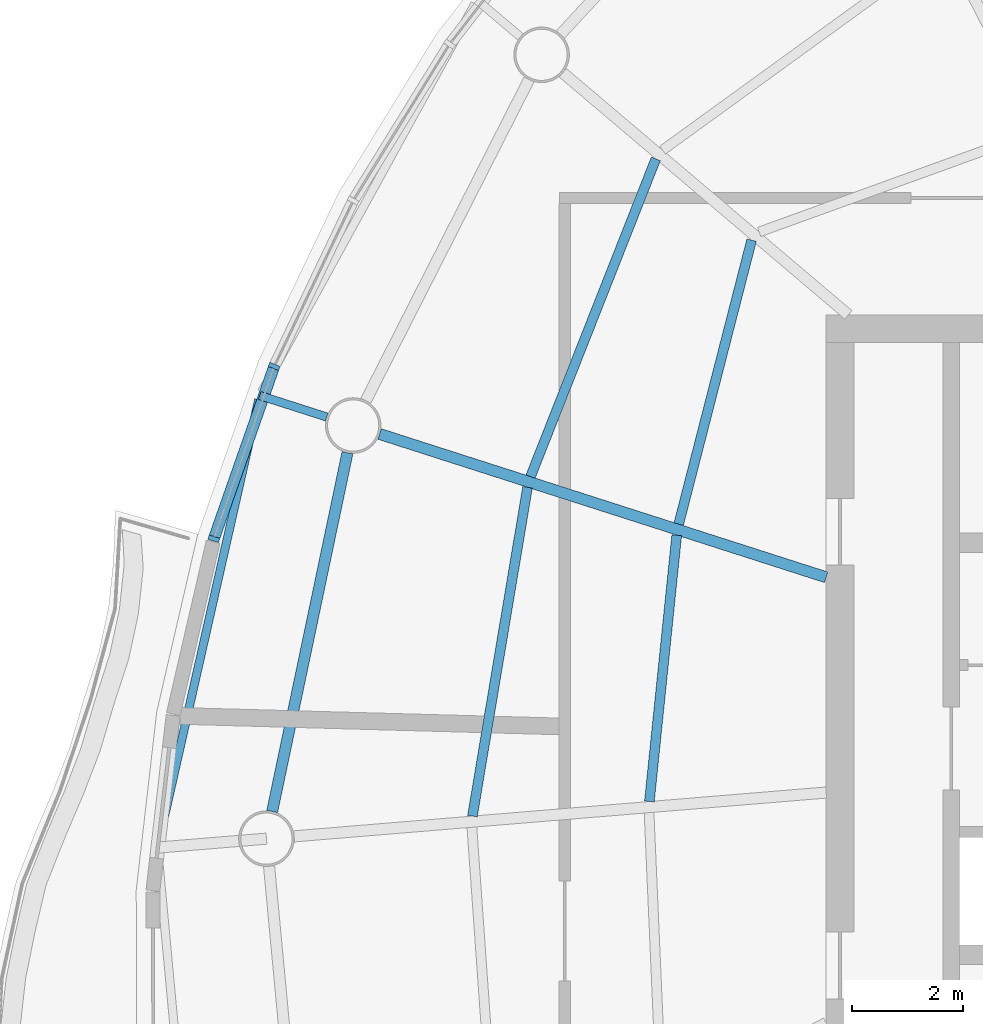
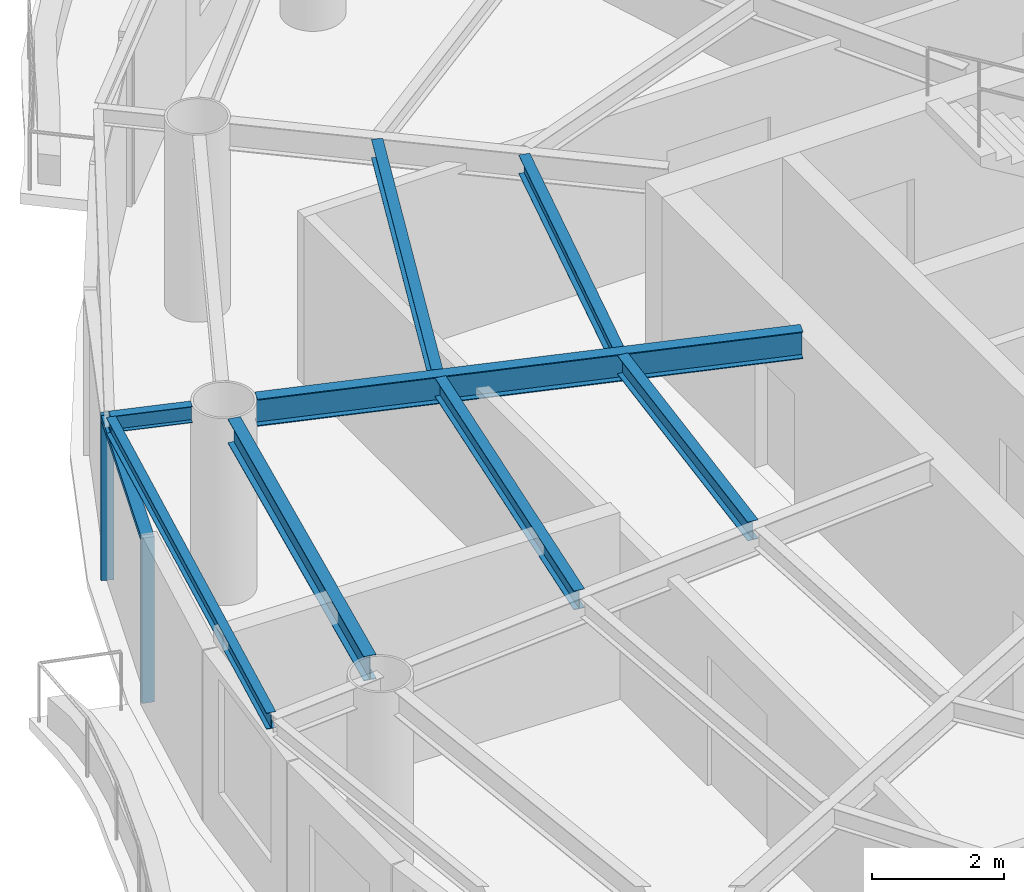
# One storey, part 3 of 13: 8 beams, 3 members, 1 element without a shape of its own.
"""IFC4 building model written with IfcOpenShell, lengths in metres."""

from ifc_helpers import new_model, si_unit, direction, frame, origin, origin_2d, place, context, subcontext, project, spatial, rectangle, i_section, extrude, material, material_profile, profile_set, type_object, element, aggregate, save


model = new_model("IFC4")

# Units and contexts
model_context = context("Model", 3, precision=1e-05, world=origin(), true_north=direction((0.0, 1.0)))
body_context = subcontext(model_context, "Body", "Model", "MODEL_VIEW")
ifc_project = project(units=[si_unit("LENGTHUNIT", "METRE"), si_unit("AREAUNIT", "SQUARE_METRE"), si_unit("VOLUMEUNIT", "CUBIC_METRE"), si_unit("PLANEANGLEUNIT", "RADIAN"), si_unit("MASSUNIT", "GRAM", prefix="KILO")], contexts=[model_context])

# Site, building, storey
site_placement = place(None, origin())
site = spatial("IfcSite", under=ifc_project, at=site_placement, CompositionType="ELEMENT")
building_placement = place(site_placement, origin())
building = spatial("IfcBuilding", under=site, at=building_placement, Name="Vermilion Reach Broadcast Tower", CompositionType="ELEMENT")
storey_placement = place(building_placement, frame((0.0, 0.0, 279.300048828125)))
storey = spatial("IfcBuildingStorey", under=building, at=storey_placement, Name="L69", CompositionType="ELEMENT", Elevation=279.300048828125)

# Beams
ifc_material_1 = material(Name="Steel S355J2", Category="steel")
ifc_material_profile_1 = material_profile(ifc_material_1, i_section(OverallWidth=0.14990234375, OverallDepth=0.300048828125, WebThickness=0.006591796875, FlangeThickness=0.009033203125, at=origin_2d()), Name="S355J2 HN 300x150x6.5x9")
ifc_profile_set_1 = profile_set([ifc_material_profile_1], Name="Steel S355J2")
beam_type_1 = type_object("IfcBeamType", Name="EB5 HN 300x150x6.5x9", PredefinedType="BEAM", material=ifc_profile_set_1)
beam_1_placement = place(storey_placement, frame((-25.80419921875, 6.27587890625, 3.300048828125), z_axis=(-0.220627416906, -0.975358161349, 0.0), x_axis=(0.975358161349, -0.220627416906, 0.0)))
element("IfcBeam", 1, at=beam_1_placement, inside=storey, type_object=beam_type_1, Name="Edge beam EB5-05", PredefinedType="BEAM", context=body_context, shape_type="SweptSolid", body=[
    extrude(i_section(OverallWidth=0.14990234375, OverallDepth=0.300048828125, WebThickness=0.006591796875, FlangeThickness=0.009033203125, at=origin_2d()), origin(), (0.0, 0.0, 1.0), 8.156494140625),
])
ifc_material_2 = material(Name="Steel S355J2", Category="steel")
ifc_material_profile_2 = material_profile(ifc_material_2, i_section(OverallWidth=0.199951171875, OverallDepth=0.5, WebThickness=0.010009765625, FlangeThickness=0.01611328125, at=origin_2d()), Name="S355J2 HN 500x200x10x16")
ifc_profile_set_2 = profile_set([ifc_material_profile_2], Name="Steel S355J2")
beam_type_2 = type_object("IfcBeamType", Name="G5 HN 500x200x10x16", PredefinedType="BEAM", material=ifc_profile_set_2)
beam_2_placement = place(storey_placement, frame((-15.60009765625, 3.080322265625, 3.199951171875), z_axis=(-0.952178453449, 0.305542456604, 0.0), x_axis=(-0.305542456604, -0.952178453449, 0.0)))
element("IfcBeam", 2, at=beam_2_placement, inside=storey, type_object=beam_type_2, Name="Girder G5-05", PredefinedType="BEAM", context=body_context, shape_type="SweptSolid", body=[
    extrude(i_section(OverallWidth=0.199951171875, OverallDepth=0.5, WebThickness=0.010009765625, FlangeThickness=0.01611328125, at=origin_2d()), origin(), (0.0, 0.0, 1.0), 8.43310546875),
])
ifc_material_3 = material(Name="Steel S355J2", Category="steel")
ifc_material_profile_3 = material_profile(ifc_material_3, i_section(OverallWidth=0.14990234375, OverallDepth=0.300048828125, WebThickness=0.006591796875, FlangeThickness=0.009033203125, at=origin_2d()), Name="S355J2 HN 300x150x6.5x9")
ifc_profile_set_3 = profile_set([ifc_material_profile_3], Name="Steel S355J2")
beam_type_3 = type_object("IfcBeamType", Name="GS5 HN 300x150x6.5x9", PredefinedType="BEAM", material=ifc_profile_set_3)
beam_3_placement = place(storey_placement, frame((-24.58203125, 5.96240234375, 3.300048828125), z_axis=(-0.952152869261, 0.30562217452, 0.0), x_axis=(-0.30562217452, -0.952152869261, 0.0)))
element("IfcBeam", 3, at=beam_3_placement, inside=storey, type_object=beam_type_3, Name="Cantilever stub GS5-05", PredefinedType="BEAM", context=body_context, shape_type="SweptSolid", body=[
    extrude(i_section(OverallWidth=0.14990234375, OverallDepth=0.300048828125, WebThickness=0.006591796875, FlangeThickness=0.009033203125, at=origin_2d()), origin(), (0.0, 0.0, 1.0), 1.26611328125),
])
ifc_material_4 = material(Name="Steel S355J2", Category="steel")
ifc_material_profile_4 = material_profile(ifc_material_4, i_section(OverallWidth=0.199951171875, OverallDepth=0.449951171875, WebThickness=0.009033203125, FlangeThickness=0.013916015625, at=origin_2d()), Name="S355J2 HN 450x200x9x14")
ifc_profile_set_4 = profile_set([ifc_material_profile_4], Name="Steel S355J2")
beam_type_4 = type_object("IfcBeamType", Name="RB5 HN 450x200x9x14", PredefinedType="BEAM", material=ifc_profile_set_4)
beam_4_placement = place(storey_placement, frame((-24.208740234375, 5.3203125, 3.224853515625), z_axis=(-0.205444869285, -0.978668690459, 0.0), x_axis=(0.978668690459, -0.205444869285, 0.0)))
element("IfcBeam", 4, at=beam_4_placement, inside=storey, type_object=beam_type_4, Name="Ring beam RB5-05", PredefinedType="BEAM", context=body_context, shape_type="SweptSolid", body=[
    extrude(i_section(OverallWidth=0.199951171875, OverallDepth=0.449951171875, WebThickness=0.009033203125, FlangeThickness=0.013916015625, at=origin_2d()), origin(), (0.0, 0.0, 1.0), 6.591796875),
])
ifc_material_5 = material(Name="Steel S355J2", Category="steel")
ifc_material_profile_5 = material_profile(ifc_material_5, i_section(OverallWidth=0.175048828125, OverallDepth=0.35009765625, WebThickness=0.007080078125, FlangeThickness=0.010986328125, at=origin_2d()), Name="S355J2 HN 350x175x7x11")
ifc_profile_set_5 = profile_set([ifc_material_profile_5], Name="Steel S355J2")
beam_type_5 = type_object("IfcBeamType", Name="SB5 HN 350x175x7x11", PredefinedType="BEAM", material=ifc_profile_set_5)
beam_5_placement = place(storey_placement, frame((-16.940185546875, 9.1435546875, 3.27490234375), z_axis=(-0.248729575729, -0.968572969971, 0.0), x_axis=(0.968572969971, -0.248729575729, 0.0)))
element("IfcBeam", 5, at=beam_5_placement, inside=storey, type_object=beam_type_5, Name="Secondary beam SB5-04-1", PredefinedType="BEAM", context=body_context, shape_type="SweptSolid", body=[
    extrude(i_section(OverallWidth=0.175048828125, OverallDepth=0.35009765625, WebThickness=0.007080078125, FlangeThickness=0.010986328125, at=origin_2d()), origin(), (0.0, 0.0, 1.0), 5.27294921875),
])
beam_6_placement = place(storey_placement, frame((-18.6630859375, 10.604248046875, 3.27490234375), z_axis=(-0.366931189603, -0.930248086317, 0.0), x_axis=(0.930248086317, -0.366931189603, 0.0)))
element("IfcBeam", 6, at=beam_6_placement, inside=storey, type_object=beam_type_5, Name="Secondary beam SB5-04-2", PredefinedType="BEAM", context=body_context, shape_type="SweptSolid", body=[
    extrude(i_section(OverallWidth=0.175048828125, OverallDepth=0.35009765625, WebThickness=0.007080078125, FlangeThickness=0.010986328125, at=origin_2d()), origin(), (0.0, 0.0, 1.0), 6.141357421875),
])
beam_7_placement = place(storey_placement, frame((-18.287109375, 3.837646484375, 3.27490234375), z_axis=(-0.102113775264, -0.994772726255, 0.0), x_axis=(0.994772726255, -0.102113775264, 0.0)))
element("IfcBeam", 7, at=beam_7_placement, inside=storey, type_object=beam_type_5, Name="Secondary beam SB5-05-1", PredefinedType="BEAM", context=body_context, shape_type="SweptSolid", body=[
    extrude(i_section(OverallWidth=0.175048828125, OverallDepth=0.35009765625, WebThickness=0.007080078125, FlangeThickness=0.010986328125, at=origin_2d()), origin(), (0.0, 0.0, 1.0), 4.815185546875),
])
beam_8_placement = place(storey_placement, frame((-20.969970703125, 4.698486328125, 3.27490234375), z_axis=(-0.16532337011, -0.986239414795, 0.0), x_axis=(0.986239414795, -0.16532337011, 0.0)))
element("IfcBeam", 8, at=beam_8_placement, inside=storey, type_object=beam_type_5, Name="Secondary beam SB5-05-2", PredefinedType="BEAM", context=body_context, shape_type="SweptSolid", body=[
    extrude(i_section(OverallWidth=0.175048828125, OverallDepth=0.35009765625, WebThickness=0.007080078125, FlangeThickness=0.010986328125, at=origin_2d()), origin(), (0.0, 0.0, 1.0), 5.99560546875),
])

# Curtain wall, members
ifc_material_6 = material(Name="Low-e laminated clear glass in aluminium frame", Category="aluminium")
curtain_wall_type = type_object("IfcCurtainWallType", Name="Slot curtain wall", PredefinedType="NOTDEFINED", material=ifc_material_6)
curtain_wall_placement = place(storey_placement, origin())
curtain_wall = element("IfcCurtainWall", 9, at=curtain_wall_placement, inside=storey, type_object=curtain_wall_type, Name="Slot curtain wall L69 13", PredefinedType="NOTDEFINED")
ifc_material_7 = material(Name="Anodised aluminium", Category="aluminium")
ifc_material_profile_6 = material_profile(ifc_material_7, rectangle(XDim=0.199951171875, YDim=0.080078125, at=origin_2d()), Name="Slot mullion 80 x 200")
ifc_profile_set_6 = profile_set([ifc_material_profile_6], Name="Anodised aluminium")
member_type_1 = type_object("IfcMemberType", Name="Slot mullion 80 x 200", PredefinedType="MULLION", material=ifc_profile_set_6)
member_1_placement = place(storey_placement, frame((-25.526611328125, 6.87255859375, 0.0), z_axis=(0.0, 0.0, 1.0), x_axis=(0.92458540708, -0.380974835147, 0.0)))
member_1 = element("IfcMember", 10, at=member_1_placement, type_object=member_type_1, Name="Slot mullion L69 13", PredefinedType="MULLION", context=body_context, shape_type="SweptSolid", body=[
    extrude(rectangle(XDim=0.199951171875, YDim=0.080078125, at=origin_2d()), origin(), (0.0, 0.0, 1.0), 3.050048828125),
])
member_2_placement = place(storey_placement, frame((-26.6123046875, 3.772216796875, 0.0), z_axis=(0.0, 0.0, 1.0), x_axis=(0.960492983327, -0.278304202232, 0.0)))
member_2 = element("IfcMember", 11, at=member_2_placement, type_object=member_type_1, Name="Slot mullion L69 14", PredefinedType="MULLION", context=body_context, shape_type="SweptSolid", body=[
    extrude(rectangle(XDim=0.199951171875, YDim=0.080078125, at=origin_2d()), origin(), (0.0, 0.0, 1.0), 3.050048828125),
])
ifc_material_8 = material(Name="Anodised aluminium", Category="aluminium")
ifc_material_profile_7 = material_profile(ifc_material_8, rectangle(XDim=0.199951171875, YDim=0.10009765625, at=origin_2d()), Name="Slot transom 200 x 100")
ifc_profile_set_7 = profile_set([ifc_material_profile_7], Name="Anodised aluminium")
member_type_2 = type_object("IfcMemberType", Name="Slot transom 200 x 100", PredefinedType="USERDEFINED", material=ifc_profile_set_7)
member_3_placement = place(storey_placement, frame((-25.539794921875, 6.834716796875, 3.0), z_axis=(-0.330543836253, -0.943790640087, 0.0), x_axis=(0.943790640087, -0.330543836253, 0.0)))
member_3 = element("IfcMember", 12, at=member_3_placement, type_object=member_type_2, Name="Slot transom L69 13.1", ObjectType="TRANSOM", PredefinedType="USERDEFINED", context=body_context, shape_type="SweptSolid", body=[
    extrude(rectangle(XDim=0.199951171875, YDim=0.10009765625, at=origin_2d()), origin(), (0.0, 0.0, 1.0), 3.204833984375),
])
aggregate(curtain_wall, [member_1, member_2, member_3])

save(model, "model.ifc")
